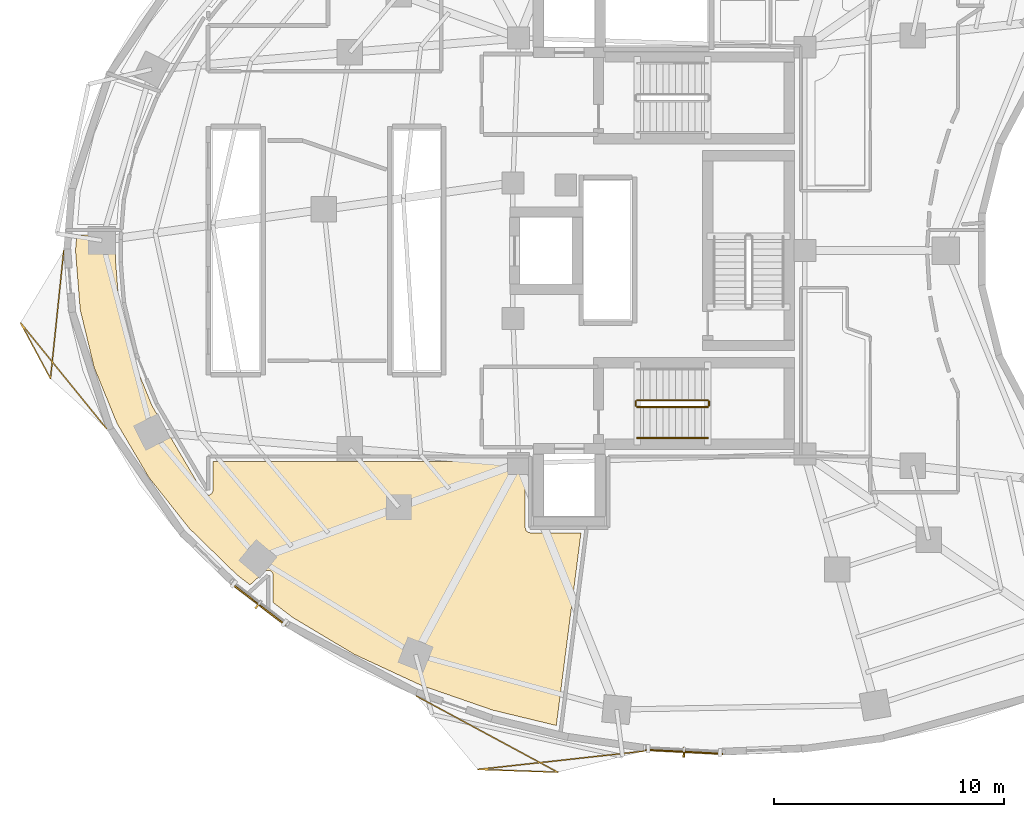
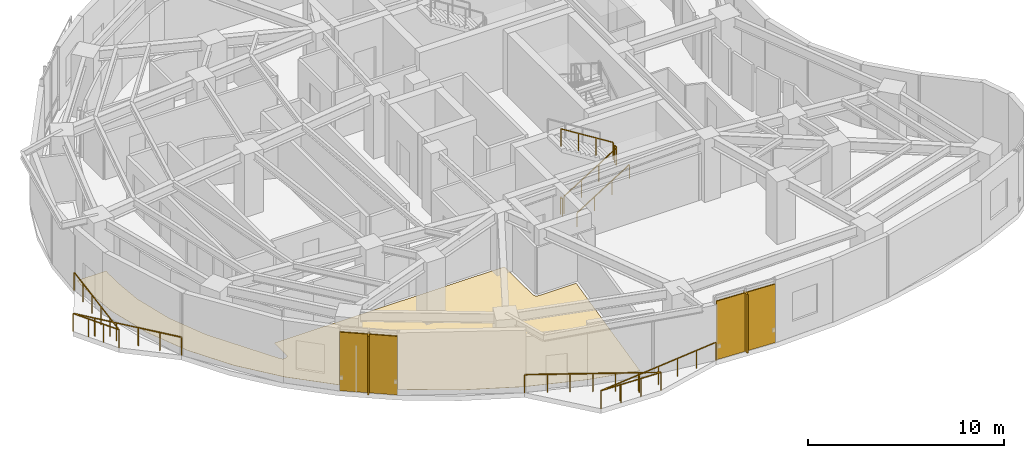
# One storey, part 11 of 13: 7 railings, 4 shading devices, 1 covering.
"""IFC4 building model written with IfcOpenShell, lengths in metres."""

from ifc_helpers import new_model, si_unit, direction, frame, origin, origin_2d, place, context, subcontext, project, spatial, polyline, rectangle, outline, extrude, material, layer, layer_set, type_object, element, save


model = new_model("IFC4")

# Units and contexts
model_context = context("Model", 3, precision=1e-05, world=origin(), true_north=direction((0.0, 1.0)))
body_context = subcontext(model_context, "Body", "Model", "MODEL_VIEW")
ifc_project = project(units=[si_unit("LENGTHUNIT", "METRE"), si_unit("AREAUNIT", "SQUARE_METRE"), si_unit("VOLUMEUNIT", "CUBIC_METRE"), si_unit("PLANEANGLEUNIT", "RADIAN"), si_unit("MASSUNIT", "GRAM", prefix="KILO")], contexts=[model_context])

# Site, building, storey
site_placement = place(None, origin())
site = spatial("IfcSite", under=ifc_project, at=site_placement, CompositionType="ELEMENT")
building_placement = place(site_placement, origin())
building = spatial("IfcBuilding", under=site, at=building_placement, Name="Korentha Bioscience Tower", CompositionType="ELEMENT")
storey_placement = place(building_placement, frame((0.0, 0.0, 123.60009765625)))
storey = spatial("IfcBuildingStorey", under=building, at=storey_placement, Name="L28", CompositionType="ELEMENT", Elevation=123.60009765625)

# Railings
ifc_material_1 = material(Name="Stainless Steel 304", Category="steel")
railing_type_1 = type_object("IfcRailingType", Name="Brushed Stainless Stair Handrail 900", PredefinedType="HANDRAIL", material=ifc_material_1)
railing_1_placement = place(storey_placement, frame((30.25, 18.85009765625, 0.1748046875)))
element("IfcRailing", 1, at=railing_1_placement, inside=storey, type_object=railing_type_1, Name="L28 ST-2 stair handrail 1", PredefinedType="HANDRAIL", context=body_context, shape_type="SweptSolid", body=[
    extrude(rectangle(XDim=0.048095703125, YDim=0.048095703125, at=origin_2d()), frame((0.0, 0.0, 0.8759765625), z_axis=(0.847998304005, 0.0, 0.529998940003), x_axis=(0.0, 1.0, 0.0)), (0.0, 0.0, 1.0), 3.632080078125),
    extrude(rectangle(XDim=0.0419921875, YDim=0.0419921875, at=origin_2d()), origin(), (0.0, 0.0, 1.0), 0.851806640625),
    extrude(rectangle(XDim=0.0419921875, YDim=0.0419921875, at=origin_2d()), frame((1.026611328125, 0.0, 0.6416015625)), (0.0, 0.0, 1.0), 0.851806640625),
    extrude(rectangle(XDim=0.0419921875, YDim=0.0419921875, at=origin_2d()), frame((2.053466796875, 0.0, 1.283447265625)), (0.0, 0.0, 1.0), 0.851806640625),
    extrude(rectangle(XDim=0.0419921875, YDim=0.0419921875, at=origin_2d()), frame((3.080078125, 0.0, 1.925048828125)), (0.0, 0.0, 1.0), 0.851806640625),
])
ifc_material_2 = material(Name="Laminated Tempered Safety Glass", Category="glass")
railing_type_2 = type_object("IfcRailingType", Name="Laminated Glass Balcony Guardrail 1150", PredefinedType="BALUSTRADE", material=ifc_material_2)
railing_2_placement = place(storey_placement, frame((5.31396484375, 27.0, 0.0)))
element("IfcRailing", 2, at=railing_2_placement, inside=storey, type_object=railing_type_2, Name="L28 Balcony Guardrail 02", PredefinedType="BALUSTRADE", context=body_context, shape_type="SweptSolid", body=[
    extrude(rectangle(XDim=0.048095703125, YDim=0.048095703125, at=origin_2d()), frame((0.0, 0.0, 1.1259765625), z_axis=(-0.103140291233, -0.994666818751, 0.0), x_axis=(0.994666818751, -0.103140291233, 0.0)), (0.0, 0.0, 1.0), 5.595703125),
    extrude(rectangle(XDim=0.048095703125, YDim=0.048095703125, at=origin_2d()), frame((-0.5771484375, -5.56591796875, 1.1259765625), z_axis=(-0.472764072862, 0.881189044082, 0.0), x_axis=(-0.881189044082, -0.472764072862, 0.0)), (0.0, 0.0, 1.0), 2.7587890625),
    extrude(rectangle(XDim=0.048095703125, YDim=0.048095703125, at=origin_2d()), frame((-1.88134765625, -3.135009765625, 1.1259765625), z_axis=(0.63030320246, -0.776349066444, 0.0), x_axis=(0.776349066444, 0.63030320246, 0.0)), (0.0, 0.0, 1.0), 5.939453125),
    extrude(rectangle(XDim=0.0419921875, YDim=0.0419921875, at=origin_2d()), origin(), (0.0, 0.0, 1.0), 1.101806640625),
    extrude(rectangle(XDim=0.0419921875, YDim=0.0419921875, at=origin_2d()), frame((-0.115478515625, -1.11328125, 0.0)), (0.0, 0.0, 1.0), 1.101806640625),
    extrude(rectangle(XDim=0.0419921875, YDim=0.0419921875, at=origin_2d()), frame((-0.23095703125, -2.226318359375, 0.0)), (0.0, 0.0, 1.0), 1.101806640625),
    extrude(rectangle(XDim=0.0419921875, YDim=0.0419921875, at=origin_2d()), frame((-0.34619140625, -3.339599609375, 0.0)), (0.0, 0.0, 1.0), 1.101806640625),
    extrude(rectangle(XDim=0.0419921875, YDim=0.0419921875, at=origin_2d()), frame((-0.461669921875, -4.45263671875, 0.0)), (0.0, 0.0, 1.0), 1.101806640625),
    extrude(rectangle(XDim=0.0419921875, YDim=0.0419921875, at=origin_2d()), frame((-0.5771484375, -5.56591796875, 0.0)), (0.0, 0.0, 1.0), 1.101806640625),
    extrude(rectangle(XDim=0.0419921875, YDim=0.0419921875, at=origin_2d()), frame((-1.011962890625, -4.755615234375, 0.0)), (0.0, 0.0, 1.0), 1.101806640625),
    extrude(rectangle(XDim=0.0419921875, YDim=0.0419921875, at=origin_2d()), frame((-1.446533203125, -3.9453125, 0.0)), (0.0, 0.0, 1.0), 1.101806640625),
    extrude(rectangle(XDim=0.0419921875, YDim=0.0419921875, at=origin_2d()), frame((-1.88134765625, -3.135009765625, 0.0)), (0.0, 0.0, 1.0), 1.101806640625),
    extrude(rectangle(XDim=0.0419921875, YDim=0.0419921875, at=origin_2d()), frame((-1.132568359375, -4.05712890625, 0.0)), (0.0, 0.0, 1.0), 1.101806640625),
    extrude(rectangle(XDim=0.0419921875, YDim=0.0419921875, at=origin_2d()), frame((-0.3837890625, -4.9794921875, 0.0)), (0.0, 0.0, 1.0), 1.101806640625),
    extrude(rectangle(XDim=0.0419921875, YDim=0.0419921875, at=origin_2d()), frame((0.36474609375, -5.901611328125, 0.0)), (0.0, 0.0, 1.0), 1.101806640625),
    extrude(rectangle(XDim=0.0419921875, YDim=0.0419921875, at=origin_2d()), frame((1.113525390625, -6.823974609375, 0.0)), (0.0, 0.0, 1.0), 1.101806640625),
    extrude(rectangle(XDim=0.0419921875, YDim=0.0419921875, at=origin_2d()), frame((1.8623046875, -7.74609375, 0.0)), (0.0, 0.0, 1.0), 1.101806640625),
])
railing_3_placement = place(storey_placement, frame((20.66650390625, 7.62109375, 0.0)))
element("IfcRailing", 3, at=railing_3_placement, inside=storey, type_object=railing_type_2, Name="L28 Balcony Guardrail 03", PredefinedType="BALUSTRADE", context=body_context, shape_type="SweptSolid", body=[
    extrude(rectangle(XDim=0.048095703125, YDim=0.048095703125, at=origin_2d()), frame((0.0, 0.0, 1.1259765625), z_axis=(0.880340587616, -0.474342123151, 0.0), x_axis=(0.474342123151, 0.880340587616, 0.0)), (0.0, 0.0, 1.0), 6.969482421875),
    extrude(rectangle(XDim=0.048095703125, YDim=0.048095703125, at=origin_2d()), frame((6.135498046875, -3.305908203125, 1.1259765625), z_axis=(-0.999404081372, 0.034517852442, 0.0), x_axis=(-0.034517852442, -0.999404081372, 0.0)), (0.0, 0.0, 1.0), 3.479736328125),
    extrude(rectangle(XDim=0.048095703125, YDim=0.048095703125, at=origin_2d()), frame((2.65771484375, -3.185791015625, 1.1259765625), z_axis=(0.993998557505, 0.109393179306, 0.0), x_axis=(-0.109393179306, 0.993998557505, 0.0)), (0.0, 0.0, 1.0), 7.27783203125),
    extrude(rectangle(XDim=0.0419921875, YDim=0.0419921875, at=origin_2d()), origin(), (0.0, 0.0, 1.0), 1.101806640625),
    extrude(rectangle(XDim=0.0419921875, YDim=0.0419921875, at=origin_2d()), frame((1.0224609375, -0.551025390625, 0.0)), (0.0, 0.0, 1.0), 1.101806640625),
    extrude(rectangle(XDim=0.0419921875, YDim=0.0419921875, at=origin_2d()), frame((2.045166015625, -1.10205078125, 0.0)), (0.0, 0.0, 1.0), 1.101806640625),
    extrude(rectangle(XDim=0.0419921875, YDim=0.0419921875, at=origin_2d()), frame((3.06787109375, -1.65283203125, 0.0)), (0.0, 0.0, 1.0), 1.101806640625),
    extrude(rectangle(XDim=0.0419921875, YDim=0.0419921875, at=origin_2d()), frame((4.09033203125, -2.203857421875, 0.0)), (0.0, 0.0, 1.0), 1.101806640625),
    extrude(rectangle(XDim=0.0419921875, YDim=0.0419921875, at=origin_2d()), frame((5.11279296875, -2.7548828125, 0.0)), (0.0, 0.0, 1.0), 1.101806640625),
    extrude(rectangle(XDim=0.0419921875, YDim=0.0419921875, at=origin_2d()), frame((6.135498046875, -3.305908203125, 0.0)), (0.0, 0.0, 1.0), 1.101806640625),
    extrude(rectangle(XDim=0.0419921875, YDim=0.0419921875, at=origin_2d()), frame((4.976318359375, -3.265869140625, 0.0)), (0.0, 0.0, 1.0), 1.101806640625),
    extrude(rectangle(XDim=0.0419921875, YDim=0.0419921875, at=origin_2d()), frame((3.81689453125, -3.225830078125, 0.0)), (0.0, 0.0, 1.0), 1.101806640625),
    extrude(rectangle(XDim=0.0419921875, YDim=0.0419921875, at=origin_2d()), frame((2.65771484375, -3.185791015625, 0.0)), (0.0, 0.0, 1.0), 1.101806640625),
    extrude(rectangle(XDim=0.0419921875, YDim=0.0419921875, at=origin_2d()), frame((3.86328125, -3.05322265625, 0.0)), (0.0, 0.0, 1.0), 1.101806640625),
    extrude(rectangle(XDim=0.0419921875, YDim=0.0419921875, at=origin_2d()), frame((5.069091796875, -2.92041015625, 0.0)), (0.0, 0.0, 1.0), 1.101806640625),
    extrude(rectangle(XDim=0.0419921875, YDim=0.0419921875, at=origin_2d()), frame((6.27490234375, -2.78759765625, 0.0)), (0.0, 0.0, 1.0), 1.101806640625),
    extrude(rectangle(XDim=0.0419921875, YDim=0.0419921875, at=origin_2d()), frame((7.48046875, -2.655029296875, 0.0)), (0.0, 0.0, 1.0), 1.101806640625),
    extrude(rectangle(XDim=0.0419921875, YDim=0.0419921875, at=origin_2d()), frame((8.68603515625, -2.5224609375, 0.0)), (0.0, 0.0, 1.0), 1.101806640625),
    extrude(rectangle(XDim=0.0419921875, YDim=0.0419921875, at=origin_2d()), frame((9.891845703125, -2.3896484375, 0.0)), (0.0, 0.0, 1.0), 1.101806640625),
])
ifc_material_3 = material(Name="Painted Steel S275", Category="steel")
railing_type_3 = type_object("IfcRailingType", Name="Painted Steel Stair Well Guardrail 1100", PredefinedType="GUARDRAIL", material=ifc_material_3)
railing_4_placement = place(storey_placement, frame((30.25, 20.199951171875, 0.1748046875)))
element("IfcRailing", 4, at=railing_4_placement, inside=storey, type_object=railing_type_3, Name="L28 ST-2 stair guard 1", PredefinedType="GUARDRAIL", context=body_context, shape_type="SweptSolid", body=[
    extrude(rectangle(XDim=0.048095703125, YDim=0.048095703125, at=origin_2d()), frame((0.0, 0.0, 1.076171875), z_axis=(0.847998304005, 0.0, 0.529998940003), x_axis=(0.0, 1.0, 0.0)), (0.0, 0.0, 1.0), 3.632080078125),
    extrude(rectangle(XDim=0.0419921875, YDim=0.0419921875, at=origin_2d()), origin(), (0.0, 0.0, 1.0), 1.052001953125),
    extrude(rectangle(XDim=0.0419921875, YDim=0.0419921875, at=origin_2d()), frame((1.026611328125, 0.0, 0.6416015625)), (0.0, 0.0, 1.0), 1.052001953125),
    extrude(rectangle(XDim=0.0419921875, YDim=0.0419921875, at=origin_2d()), frame((2.053466796875, 0.0, 1.283447265625)), (0.0, 0.0, 1.0), 1.052001953125),
    extrude(rectangle(XDim=0.0419921875, YDim=0.0419921875, at=origin_2d()), frame((3.080078125, 0.0, 1.925048828125)), (0.0, 0.0, 1.0), 1.052001953125),
])
railing_5_placement = place(storey_placement, frame((33.3798828125, 20.25, 2.099853515625)))
element("IfcRailing", 5, at=railing_5_placement, inside=storey, type_object=railing_type_3, Name="L28 ST-2 stair guard 2", PredefinedType="GUARDRAIL", context=body_context, shape_type="SweptSolid", body=[
    extrude(rectangle(XDim=0.048095703125, YDim=0.048095703125, at=origin_2d()), frame((0.0, 0.0, 1.076171875), z_axis=(0.0, 1.0, 0.0), x_axis=(-1.0, 0.0, 0.0)), (0.0, 0.0, 1.0), 0.199951171875),
    extrude(rectangle(XDim=0.0419921875, YDim=0.0419921875, at=origin_2d()), origin(), (0.0, 0.0, 1.0), 1.052001953125),
    extrude(rectangle(XDim=0.0419921875, YDim=0.0419921875, at=origin_2d()), frame((0.0, 0.199951171875, 0.0)), (0.0, 0.0, 1.0), 1.052001953125),
])
railing_6_placement = place(storey_placement, frame((33.330078125, 20.5, 2.27490234375)))
element("IfcRailing", 6, at=railing_6_placement, inside=storey, type_object=railing_type_3, Name="L28 ST-2 stair guard 3", PredefinedType="GUARDRAIL", context=body_context, shape_type="SweptSolid", body=[
    extrude(rectangle(XDim=0.048095703125, YDim=0.048095703125, at=origin_2d()), frame((0.0, 0.0, 1.076171875), z_axis=(-0.847998304005, 0.0, 0.529998940003), x_axis=(0.0, -1.0, 0.0)), (0.0, 0.0, 1.0), 3.632080078125),
    extrude(rectangle(XDim=0.0419921875, YDim=0.0419921875, at=origin_2d()), origin(), (0.0, 0.0, 1.0), 1.052001953125),
    extrude(rectangle(XDim=0.0419921875, YDim=0.0419921875, at=origin_2d()), frame((-1.026611328125, 0.0, 0.6416015625)), (0.0, 0.0, 1.0), 1.052001953125),
    extrude(rectangle(XDim=0.0419921875, YDim=0.0419921875, at=origin_2d()), frame((-2.053466796875, 0.0, 1.283447265625)), (0.0, 0.0, 1.0), 1.052001953125),
    extrude(rectangle(XDim=0.0419921875, YDim=0.0419921875, at=origin_2d()), frame((-3.080078125, 0.0, 1.925048828125)), (0.0, 0.0, 1.0), 1.052001953125),
])
railing_7_placement = place(storey_placement, frame((30.199951171875, 20.25, 0.0)))
element("IfcRailing", 7, at=railing_7_placement, inside=storey, type_object=railing_type_3, Name="L28 ST-2 stair guard 4", PredefinedType="GUARDRAIL", context=body_context, shape_type="SweptSolid", body=[
    extrude(rectangle(XDim=0.048095703125, YDim=0.048095703125, at=origin_2d()), frame((0.0, 0.0, 1.076171875), z_axis=(0.0, 1.0, 0.0), x_axis=(-1.0, 0.0, 0.0)), (0.0, 0.0, 1.0), 0.199951171875),
    extrude(rectangle(XDim=0.0419921875, YDim=0.0419921875, at=origin_2d()), origin(), (0.0, 0.0, 1.0), 1.052001953125),
    extrude(rectangle(XDim=0.0419921875, YDim=0.0419921875, at=origin_2d()), frame((0.0, 0.199951171875, 0.0)), (0.0, 0.0, 1.0), 1.052001953125),
])

# Shading devices
ifc_material_4 = material(Name="Perforated Stone-Ceramic Composite", Category="masonry")
ifc_layer_1 = layer(ifc_material_4, 0.06494140625, Name="Perforated Stone-Ceramic Composite")
ifc_layer_set_1 = layer_set([ifc_layer_1], Name="Perforated Stone-Ceramic Composite (CS-01)")
shading_device_type_1 = type_object("IfcShadingDeviceType", Name="Perforated Stone-Ceramic Solar Screen Panel 65", PredefinedType="USERDEFINED", material=ifc_layer_set_1)
shading_device_1_placement = place(storey_placement, frame((13.7841796875, 11.616455078125, 0.0), z_axis=(0.0, 0.0, 1.0), x_axis=(0.794499603893, -0.607264669986, 0.0)))
element("IfcShadingDevice", 8, at=shading_device_1_placement, inside=storey, type_object=shading_device_type_1, Name="CW-L28-25 Perforated Stone-Ceramic Solar Screen", ObjectType="SCREEN", PredefinedType="USERDEFINED", context=body_context, shape_type="SweptSolid", body=[
    extrude(rectangle(XDim=2.98291015625, YDim=0.06494140625, at=origin_2d()), origin(), (0.0, 0.0, 1.0), 3.64990234375),
])
shading_device_2_placement = place(storey_placement, frame((32.2958984375, 5.201904296875, 0.0), z_axis=(0.0, 0.0, 1.0), x_axis=(0.998673231344, -0.051495407527, 0.0)))
element("IfcShadingDevice", 9, at=shading_device_2_placement, inside=storey, type_object=shading_device_type_1, Name="CW-L28-31 Perforated Stone-Ceramic Solar Screen", ObjectType="SCREEN", PredefinedType="USERDEFINED", context=body_context, shape_type="SweptSolid", body=[
    extrude(rectangle(XDim=3.373779296875, YDim=0.06494140625, at=origin_2d()), origin(), (0.0, 0.0, 1.0), 3.64990234375),
])

# Covering
ifc_material_5 = material(Name="Chemical-Resistant Epoxy Resin", Category="polymer")
ifc_layer_2 = layer(ifc_material_5, 0.011962890625, Name="Chemical-Resistant Epoxy Resin")
ifc_layer_set_2 = layer_set([ifc_layer_2], Name="Chemical-Resistant Epoxy Resin (FL-EPX)")
covering_type = type_object("IfcCoveringType", Name="Seamless Epoxy Laboratory Flooring 12", PredefinedType="FLOORING", material=ifc_layer_set_2)
covering_placement = place(storey_placement, origin())
element("IfcCovering", 10, at=covering_placement, inside=storey, type_object=covering_type, Name="L28 Biomechanical Motion Analysis Lab 02 Floor Finish", PredefinedType="FLOORING", context=body_context, shape_type="SweptSolid", body=[
    extrude(outline(polyline([(5.87939453125, 27.677978515625), (7.584716796875, 27.677978515625), (7.570068359375, 27.48291015625), (7.5703125, 26.507568359375), (7.7119140625, 24.72412109375), (8.259521484375, 22.445556640625), (9.162109375, 20.23828125), (11.3818359375, 16.47509765625), (11.468994140625, 16.390625), (11.57421875, 16.362060546875), (11.681640625, 16.3857421875), (11.765869140625, 16.45654296875), (11.803466796875, 16.53759765625), (11.81005859375, 17.827880859375), (25.3798828125, 17.827880859375), (25.3798828125, 14.951416015625), (25.42431640625, 14.8203125), (25.508056640625, 14.751708984375), (25.5986328125, 14.72998046875), (27.81201171875, 14.72998046875), (26.73828125, 6.34716796875), (23.97314453125, 7.014892578125), (20.85791015625, 8.094482421875), (17.939208984375, 9.447998046875), (15.259521484375, 11.05517578125), (14.422119140625, 11.695068359375), (14.421630859375, 12.8876953125), (14.396484375, 12.98095703125), (14.325927734375, 13.060791015625), (14.204345703125, 13.100830078125), (14.080810546875, 13.06787109375), (13.416015625, 12.464111328125), (12.857177734375, 12.89111328125), (10.76708984375, 14.92822265625), (9.018310546875, 17.1357421875), (7.634521484375, 19.48095703125), (6.63330078125, 21.9296875), (6.0283203125, 24.44775390625), (5.82568359375, 27.0), (5.87939453125, 27.677978515625)])), origin(), (0.0, 0.0, 1.0), 0.011962890625),
])

# Shading devices
ifc_material_6 = material(Name="Honed Travertine Limestone", Category="masonry")
ifc_layer_3 = layer(ifc_material_6, 0.080078125, Name="Honed Travertine Limestone")
ifc_layer_set_3 = layer_set([ifc_layer_3], Name="Honed Travertine Limestone (CS-02)")
shading_device_type_2 = type_object("IfcShadingDeviceType", Name="Vertical Honed Limestone Sunshade Fin 80x420", PredefinedType="USERDEFINED", material=ifc_layer_set_3)
for number, where, z_axis, x_axis, name in (
    (11, (13.77197265625, 11.600341796875, 0.0), (0.0, 0.0, 1.0), (0.794499603893, -0.607264669986, 0.0), "CW-L28-25 Limestone Sunshade Fin"),
    (12, (32.294921875, 5.18212890625, 0.0), (0.0, 0.0, 1.0), (0.998673231344, -0.051495407527, 0.0), "CW-L28-31 Limestone Sunshade Fin"),
):
    element("IfcShadingDevice", number, at=place(storey_placement, frame(where, z_axis=z_axis, x_axis=x_axis)), inside=storey, type_object=shading_device_type_2, Name=name, ObjectType="SCREEN", PredefinedType="USERDEFINED", context=body_context, shape_type="SweptSolid", body=[
        extrude(rectangle(XDim=0.080078125, YDim=0.419921875, at=origin_2d()), origin(), (0.0, 0.0, 1.0), 3.64990234375),
    ])

save(model, "model.ifc")
